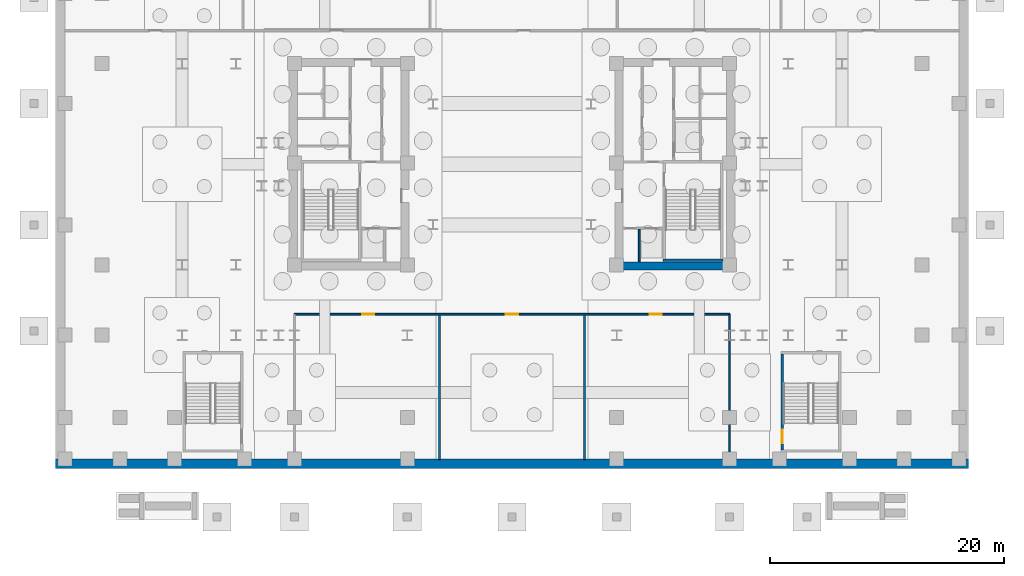
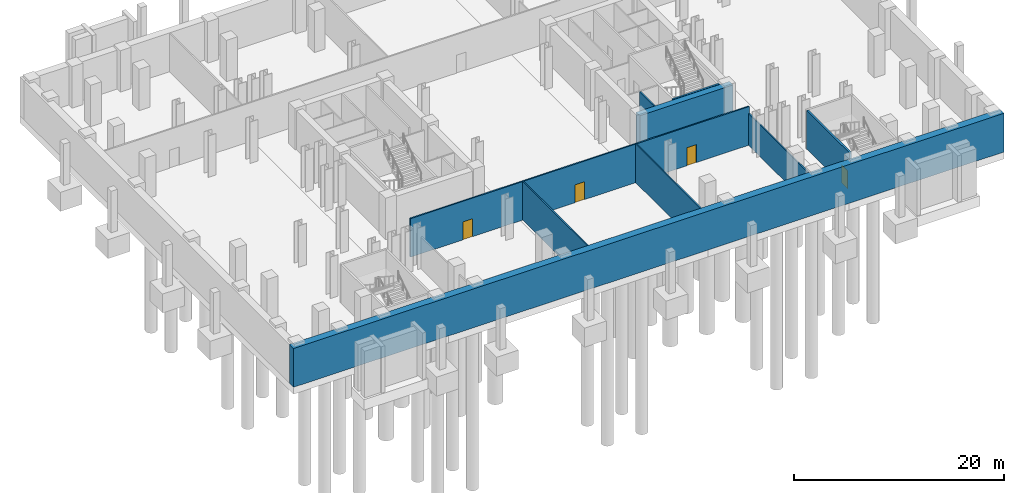
# One storey, part 4 of 10: 9 walls, 4 doors, 4 openings.
"""IFC4 building model written with IfcOpenShell, lengths in metres."""

from ifc_helpers import new_model, si_unit, direction, frame, frame_2d, origin, place, context, subcontext, project, spatial, rectangle, extrude, material, layer, layer_set, type_object, element, fill, save


model = new_model("IFC4")

# Units and contexts
model_context = context("Model", 3, precision=1e-05, world=origin(), true_north=direction((0.0, 1.0)))
body_context = subcontext(model_context, "Body", "Model", "MODEL_VIEW")
ifc_project = project(units=[si_unit("LENGTHUNIT", "METRE"), si_unit("AREAUNIT", "SQUARE_METRE"), si_unit("VOLUMEUNIT", "CUBIC_METRE"), si_unit("PLANEANGLEUNIT", "RADIAN"), si_unit("MASSUNIT", "GRAM", prefix="KILO")], contexts=[model_context])

# Site, building, storey
site_placement = place(None, origin())
site = spatial("IfcSite", under=ifc_project, at=site_placement, CompositionType="ELEMENT")
building_placement = place(site_placement, origin())
building = spatial("IfcBuilding", under=site, at=building_placement, Name="Velakula Bourse", CompositionType="ELEMENT")
storey_placement = place(building_placement, frame((0.0, 0.0, -9.60009765625)))
storey = spatial("IfcBuildingStorey", under=building, at=storey_placement, Name="B02", CompositionType="ELEMENT", Elevation=-9.60009765625)

# Wall
ifc_material_1 = material(Name="Concrete M50 (fck 50 MPa)", Category="concrete")
ifc_layer_1 = layer(ifc_material_1, 0.2099609375, Name="Concrete M50 (fck 50 MPa)", Category="concrete")
ifc_layer_set_1 = layer_set([ifc_layer_1], Name="Concrete M50 (fck 50 MPa)")
wall_type_1 = type_object("IfcWallType", Name="WL-CORE-210", PredefinedType="SHEAR", material=ifc_layer_set_1)
wall_1_placement = place(storey_placement, frame((12.889892578125, -8.205078125, 0.0), z_axis=(0.0, 0.0, 1.0), x_axis=(1.0, 0.0, 0.0)))
element("IfcWall", 1, at=wall_1_placement, inside=storey, type_object=wall_type_1, Name="B02 Core E Stairwell Shear Wall S", PredefinedType="SHEAR", context=body_context, shape_type="SweptSolid", body=[
    extrude(rectangle(XDim=5.14013671875, YDim=0.2099609375, at=frame_2d((2.570068359375, 0.0))), origin(), (0.0, 0.0, 1.0), 4.5),
])

# Wall, opening, door
wall_2_placement = place(storey_placement, frame((23.094970703125, -24.39990234375, 0.0), z_axis=(0.0, 0.0, 1.0), x_axis=(0.0, 1.0, 0.0)))
wall_2 = element("IfcWall", 2, at=wall_2_placement, inside=storey, type_object=wall_type_1, Name="B02 Podium Stair ST-P2 Shear Wall W", PredefinedType="SHEAR", context=body_context, shape_type="SweptSolid", body=[
    extrude(rectangle(XDim=8.199951171875, YDim=0.2099609375, at=frame_2d((4.10009765625, 0.0))), origin(), (0.0, 0.0, 1.0), 4.5),
])
opening_1_placement = place(wall_2_placement, frame((0.550048828125, 0.0, 0.0)))
opening_1 = element("IfcOpeningElement", 3, at=opening_1_placement, cuts=wall_2, Name="Opening D-P2", PredefinedType="OPENING", context=body_context, shape_type="SweptSolid", body=[
    extrude(rectangle(XDim=1.14990234375, YDim=2.10009765625, at=frame_2d((0.574951171875, 1.050048828125))), frame((0.0, 0.114990234375, 0.0), z_axis=(0.0, -1.0, 0.0), x_axis=(1.0, 0.0, 0.0)), (0.0, 0.0, 1.0), 0.22998046875),
])
ifc_material_2 = material(Name="Galvanised painted hollow steel fire door", Category="steel")
door_type_1 = type_object("IfcDoorType", Name="DR-FD120-1150x2100", OperationType="NOTDEFINED", PredefinedType="DOOR", material=ifc_material_2)
door_1_placement = place(opening_1_placement, origin())
door_1 = element("IfcDoor", 4, at=door_1_placement, inside=storey, type_object=door_type_1, Name="B02 Stair ST-P2 Fire Door", OperationType="SINGLE_SWING_RIGHT", OverallHeight=2.10009765625, OverallWidth=1.14990234375, PredefinedType="DOOR", context=body_context, shape_type="SweptSolid", body=[
    extrude(rectangle(XDim=1.14990234375, YDim=2.10009765625, at=frame_2d((0.574951171875, 1.050048828125))), frame((0.0, 0.02490234375, 0.0), z_axis=(0.0, -1.0, 0.0), x_axis=(1.0, 0.0, 0.0)), (0.0, 0.0, 1.0), 0.050048828125),
])
fill(opening_1, door_1)

# Walls
ifc_material_3 = material(Name="Concrete M70 (fck 70 MPa)", Category="concrete")
ifc_layer_2 = layer(ifc_material_3, 0.699951171875, Name="Concrete M70 (fck 70 MPa)", Category="concrete")
ifc_layer_set_2 = layer_set([ifc_layer_2], Name="Concrete M70 (fck 70 MPa)")
wall_type_2 = type_object("IfcWallType", Name="WL-CORE-700", PredefinedType="SHEAR", material=ifc_layer_set_2)
wall_3_placement = place(storey_placement, frame((8.800048828125, -8.699951171875, 0.0), z_axis=(0.0, 0.0, 1.0), x_axis=(1.0, 0.0, 0.0)))
element("IfcWall", 5, at=wall_3_placement, inside=storey, type_object=wall_type_2, Name="B02 Core E Shear Wall S", PredefinedType="SHEAR", context=body_context, shape_type="SweptSolid", body=[
    extrude(rectangle(XDim=10.25, YDim=0.699951171875, at=frame_2d((5.125, 0.0))), origin(), (0.0, 0.0, 1.0), 4.5),
])
ifc_material_4 = material(Name="Fire-rated double-layer gypsum drywall partition", Category="gypsum")
ifc_layer_3 = layer(ifc_material_4, 0.139892578125, Name="Fire-rated double-layer gypsum drywall partition", Category="gypsum")
ifc_layer_set_3 = layer_set([ifc_layer_3], Name="Fire-rated double-layer gypsum drywall partition")
wall_type_3 = type_object("IfcWallType", Name="WL-PART-140", PredefinedType="STANDARD", material=ifc_layer_set_3)
wall_4_placement = place(storey_placement, frame((18.60009765625, -25.239990234375, 0.0), z_axis=(0.0, 0.0, 1.0), x_axis=(0.0, 1.0, 0.0)))
element("IfcWall", 6, at=wall_4_placement, inside=storey, type_object=wall_type_3, Name="B02 Interior Partition WL-POD-B02-SE-END", PredefinedType="STANDARD", context=body_context, shape_type="SweptSolid", body=[
    extrude(rectangle(XDim=12.419921875, YDim=0.139892578125, at=frame_2d((6.2099609375, 0.0))), origin(), (0.0, 0.0, 1.0), 3.675048828125),
])

# Wall, openings, doors
wall_5_placement = place(storey_placement, frame((-18.60009765625, -12.820068359375, 0.0), z_axis=(0.0, 0.0, 1.0), x_axis=(1.0, 0.0, 0.0)))
wall_5 = element("IfcWall", 7, at=wall_5_placement, inside=storey, type_object=wall_type_3, Name="B02 Interior Partition WL-POD-B02-S-CORR", PredefinedType="STANDARD", context=body_context, shape_type="SweptSolid", body=[
    extrude(rectangle(XDim=37.2001953125, YDim=0.14990234375, at=frame_2d((18.60009765625, 0.0))), origin(), (0.0, 0.0, 1.0), 4.47998046875),
])
opening_2_placement = place(wall_5_placement, frame((5.7958984375, 0.0, 0.0)))
opening_2 = element("IfcOpeningElement", 8, at=opening_2_placement, cuts=wall_5, Name="Opening D-PD2", PredefinedType="OPENING", context=body_context, shape_type="SweptSolid", body=[
    extrude(rectangle(XDim=1.050048828125, YDim=2.080078125, at=frame_2d((0.52490234375, 1.0400390625))), frame((0.0, 0.0849609375, 0.0), z_axis=(0.0, -1.0, 0.0), x_axis=(1.0, 0.0, 0.0)), (0.0, 0.0, 1.0), 0.169921875),
])
opening_3_placement = place(wall_5_placement, frame((18.074951171875, 0.0, 0.0)))
opening_3 = element("IfcOpeningElement", 9, at=opening_3_placement, cuts=wall_5, Name="Opening D-PD2", PredefinedType="OPENING", context=body_context, shape_type="SweptSolid", body=[
    extrude(rectangle(XDim=1.050048828125, YDim=2.080078125, at=frame_2d((0.52490234375, 1.0400390625))), frame((0.0, 0.0849609375, 0.0), z_axis=(0.0, -1.0, 0.0), x_axis=(1.0, 0.0, 0.0)), (0.0, 0.0, 1.0), 0.169921875),
])
opening_4_placement = place(wall_5_placement, frame((30.35400390625, 0.0, 0.0)))
opening_4 = element("IfcOpeningElement", 10, at=opening_4_placement, cuts=wall_5, Name="Opening D-PD2", PredefinedType="OPENING", context=body_context, shape_type="SweptSolid", body=[
    extrude(rectangle(XDim=1.050048828125, YDim=2.080078125, at=frame_2d((0.52490234375, 1.0400390625))), frame((0.0, 0.0849609375, 0.0), z_axis=(0.0, -1.0, 0.0), x_axis=(1.0, 0.0, 0.0)), (0.0, 0.0, 1.0), 0.169921875),
])
ifc_material_5 = material(Name="Fire-rated hardwood flush architectural door", Category="wood")
door_type_2 = type_object("IfcDoorType", Name="DR-OFF-1050", OperationType="NOTDEFINED", PredefinedType="DOOR", material=ifc_material_5)
door_2_placement = place(opening_2_placement, origin())
door_2 = element("IfcDoor", 11, at=door_2_placement, inside=storey, type_object=door_type_2, Name="B02 Metro Lower Ventilation Plant Room Door", OperationType="SINGLE_SWING_RIGHT", OverallHeight=2.080078125, OverallWidth=1.050048828125, PredefinedType="DOOR", context=body_context, shape_type="SweptSolid", body=[
    extrude(rectangle(XDim=1.050048828125, YDim=2.080078125, at=frame_2d((0.52490234375, 1.0400390625))), frame((0.0, 0.02490234375, 0.0), z_axis=(0.0, -1.0, 0.0), x_axis=(1.0, 0.0, 0.0)), (0.0, 0.0, 1.0), 0.050048828125),
])
fill(opening_2, door_2)
door_3_placement = place(opening_3_placement, origin())
door_3 = element("IfcDoor", 12, at=door_3_placement, inside=storey, type_object=door_type_2, Name="B02 Stormwater Retention Pump Room Door", OperationType="SINGLE_SWING_LEFT", OverallHeight=2.080078125, OverallWidth=1.050048828125, PredefinedType="DOOR", context=body_context, shape_type="SweptSolid", body=[
    extrude(rectangle(XDim=1.050048828125, YDim=2.080078125, at=frame_2d((0.52490234375, 1.0400390625))), frame((0.0, 0.02490234375, 0.0), z_axis=(0.0, -1.0, 0.0), x_axis=(1.0, 0.0, 0.0)), (0.0, 0.0, 1.0), 0.050048828125),
])
fill(opening_3, door_3)
door_4_placement = place(opening_4_placement, origin())
door_4 = element("IfcDoor", 13, at=door_4_placement, inside=storey, type_object=door_type_2, Name="B02 Station UPS Battery Switchroom Door", OperationType="SINGLE_SWING_RIGHT", OverallHeight=2.080078125, OverallWidth=1.050048828125, PredefinedType="DOOR", context=body_context, shape_type="SweptSolid", body=[
    extrude(rectangle(XDim=1.050048828125, YDim=2.080078125, at=frame_2d((0.52490234375, 1.0400390625))), frame((0.0, 0.02490234375, 0.0), z_axis=(0.0, -1.0, 0.0), x_axis=(1.0, 0.0, 0.0)), (0.0, 0.0, 1.0), 0.050048828125),
])
fill(opening_4, door_4)

# Walls
for number, where, z_axis, x_axis, name in (
    (14, (-6.199951171875, -25.239990234375, 0.0), (0.0, 0.0, 1.0), (0.0, 1.0, 0.0), "B02 Interior Partition WL-POD-B02-SD1"),
    (15, (6.199951171875, -25.239990234375, 0.0), (0.0, 0.0, 1.0), (0.0, 1.0, 0.0), "B02 Interior Partition WL-POD-B02-SD2"),
):
    element("IfcWall", number, at=place(storey_placement, frame(where, z_axis=z_axis, x_axis=x_axis)), inside=storey, type_object=wall_type_3, Name=name, PredefinedType="STANDARD", context=body_context, shape_type="SweptSolid", body=[
        extrude(rectangle(XDim=12.35009765625, YDim=0.139892578125, at=frame_2d((6.175048828125, 0.0))), origin(), (0.0, 0.0, 1.0), 4.47998046875),
    ])
ifc_layer_4 = layer(ifc_material_3, 0.800048828125, Name="Concrete M70 (fck 70 MPa)", Category="concrete")
ifc_layer_set_4 = layer_set([ifc_layer_4], Name="Concrete M70 (fck 70 MPa)")
wall_type_4 = type_object("IfcWallType", Name="WL-RET-800", PredefinedType="SOLIDWALL", material=ifc_layer_set_4)
wall_6_placement = place(storey_placement, frame((-39.0, -25.60009765625, 0.0), z_axis=(0.0, 0.0, 1.0), x_axis=(1.0, 0.0, 0.0)))
element("IfcWall", 16, at=wall_6_placement, inside=storey, type_object=wall_type_4, Name="B02 Diaphragm Retaining Wall S", PredefinedType="SOLIDWALL", context=body_context, shape_type="SweptSolid", body=[
    extrude(rectangle(XDim=78.0, YDim=0.800048828125, at=frame_2d((39.0, 0.0))), origin(), (0.0, 0.0, 1.0), 4.5),
])
ifc_material_6 = material(Name="Autoclaved aerated concrete blockwork masonry", Category="masonry")
ifc_layer_5 = layer(ifc_material_6, 0.14990234375, Name="Autoclaved aerated concrete blockwork masonry", Category="masonry")
ifc_layer_set_5 = layer_set([ifc_layer_5], Name="Autoclaved aerated concrete blockwork masonry")
wall_type_5 = type_object("IfcWallType", Name="WL-SHAFT-150", PredefinedType="STANDARD", material=ifc_layer_set_5)
wall_7_placement = place(storey_placement, frame((10.875, -8.35009765625, 0.0), z_axis=(0.0, 0.0, 1.0), x_axis=(0.0, 1.0, 0.0)))
element("IfcWall", 17, at=wall_7_placement, inside=storey, type_object=wall_type_5, Name="B02 Interior Partition WL-CRE-B02-FR-DIV", PredefinedType="STANDARD", context=body_context, shape_type="SweptSolid", body=[
    extrude(rectangle(XDim=2.800048828125, YDim=0.14990234375, at=frame_2d((1.39990234375, 0.0))), origin(), (0.0, 0.0, 1.0), 4.47998046875),
])

save(model, "model.ifc")
